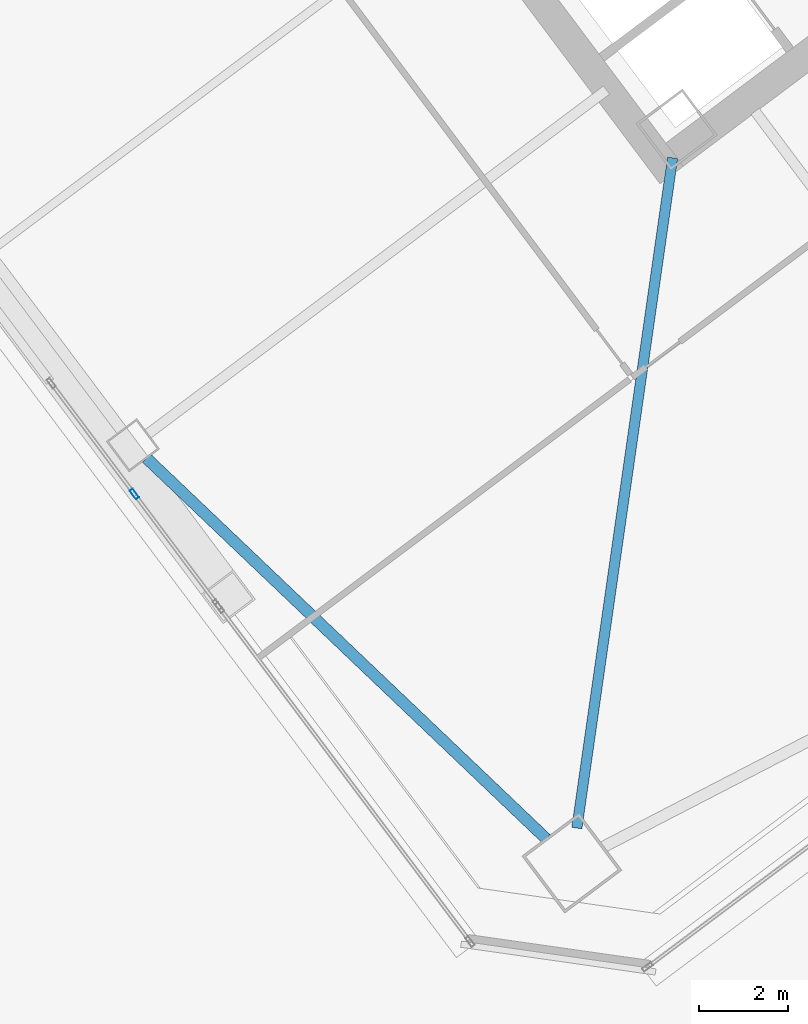
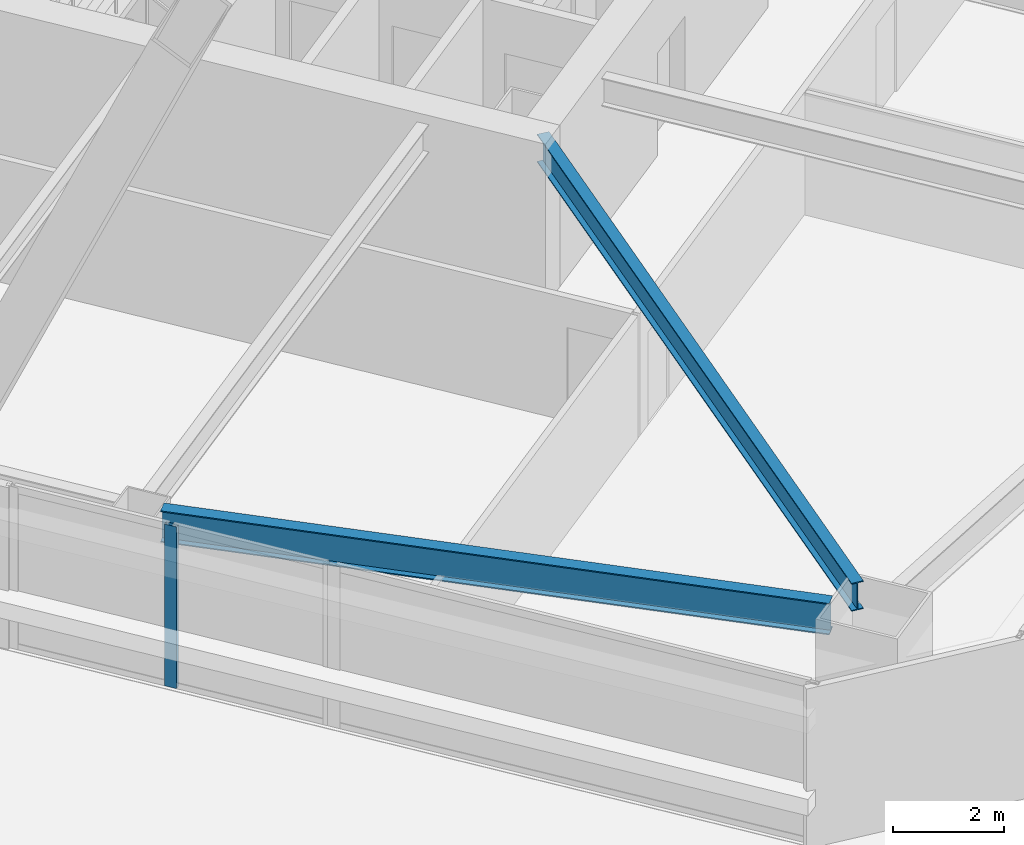
# One storey, part 34 of 83: 2 beams, 1 member, 1 element without a shape of its own.
"""IFC4 building model written with IfcOpenShell, lengths in metres."""

from ifc_helpers import new_model, si_unit, direction, frame, origin, origin_2d, place, context, subcontext, project, spatial, hollow_rectangle, i_section, extrude, material, material_profile, profile_set, type_object, element, aggregate, save


model = new_model("IFC4")

# Units and contexts
model_context = context("Model", 3, precision=1e-05, world=origin(), true_north=direction((0.0, 1.0)))
body_context = subcontext(model_context, "Body", "Model", "MODEL_VIEW")
ifc_project = project(units=[si_unit("LENGTHUNIT", "METRE"), si_unit("AREAUNIT", "SQUARE_METRE"), si_unit("VOLUMEUNIT", "CUBIC_METRE"), si_unit("PLANEANGLEUNIT", "RADIAN"), si_unit("MASSUNIT", "GRAM", prefix="KILO")], contexts=[model_context])

# Site, building, storey
site_placement = place(None, origin())
site = spatial("IfcSite", under=ifc_project, at=site_placement, CompositionType="ELEMENT")
building_placement = place(site_placement, origin())
building = spatial("IfcBuilding", under=site, at=building_placement, Name="Tashvorn Skyway Center", CompositionType="ELEMENT")
storey_placement = place(building_placement, frame((0.0, 0.0, 24.60009765625)))
storey = spatial("IfcBuildingStorey", under=building, at=storey_placement, Name="L05", CompositionType="ELEMENT", Elevation=24.60009765625)

# Beams
ifc_material_1 = material(Name="Steel ASTM A992 Grade 50", Category="steel")
ifc_material_profile_1 = material_profile(ifc_material_1, i_section(OverallWidth=0.22998046875, OverallDepth=0.616943359375, WebThickness=0.01318359375, FlangeThickness=0.022216796875, at=origin_2d()), Name="W24X94")
ifc_profile_set_1 = profile_set([ifc_material_profile_1], Name="Steel ASTM A992 Grade 50")
beam_type_1 = type_object("IfcBeamType", Name="BM-BEAM-W24X94", PredefinedType="BEAM", material=ifc_profile_set_1)
beam_1_placement = place(storey_placement, frame((110.3525390625, 6.467041015625, 3.04150390625), z_axis=(0.141414599991, 0.989950458816, 0.0), x_axis=(-0.989950458816, 0.141414599991, 0.0)))
element("IfcBeam", 1, at=beam_1_placement, inside=storey, type_object=beam_type_1, Name="Tower 2 L05 Primary Floor Girder MC-SW", PredefinedType="BEAM", context=body_context, shape_type="SweptSolid", body=[
    extrude(i_section(OverallWidth=0.22998046875, OverallDepth=0.616943359375, WebThickness=0.01318359375, FlangeThickness=0.022216796875, at=origin_2d()), origin(), (0.0, 0.0, 1.0), 15.177001953125),
])
ifc_material_profile_2 = material_profile(ifc_material_1, i_section(OverallWidth=0.256103515625, OverallDepth=0.693115234375, WebThickness=0.014404296875, FlangeThickness=0.023681640625, at=origin_2d()), Name="W27X114")
ifc_profile_set_2 = profile_set([ifc_material_profile_2], Name="Steel ASTM A992 Grade 50")
beam_type_2 = type_object("IfcBeamType", Name="BM-SPANDREL-W27X114", PredefinedType="SPANDREL", material=ifc_profile_set_2)
beam_2_placement = place(storey_placement, frame((100.7041015625, 14.76025390625, 3.00341796875), z_axis=(0.724200339835, -0.689589637236, 0.0), x_axis=(0.689589637236, 0.724200339835, 0.0)))
element("IfcBeam", 2, at=beam_2_placement, inside=storey, type_object=beam_type_2, Name="Tower 2 L05 Spandrel Beam 12", PredefinedType="SPANDREL", context=body_context, shape_type="SweptSolid", body=[
    extrude(i_section(OverallWidth=0.256103515625, OverallDepth=0.693115234375, WebThickness=0.014404296875, FlangeThickness=0.023681640625, at=origin_2d()), origin(), (0.0, 0.0, 1.0), 12.37255859375),
])

# Curtain wall, member
ifc_material_2 = material(Name="Thermally broken bronze-anodized aluminium 6063-T6", Category="aluminium")
curtain_wall_type = type_object("IfcCurtainWallType", Name="CW-CW-Z1", PredefinedType="NOTDEFINED", material=ifc_material_2)
curtain_wall_placement = place(storey_placement, origin())
curtain_wall = element("IfcCurtainWall", 3, at=curtain_wall_placement, inside=storey, type_object=curtain_wall_type, Name="Tower 2 L05 West Unitised Curtain Wall Glazing Group 2", PredefinedType="NOTDEFINED")
ifc_material_profile_3 = material_profile(ifc_material_2, hollow_rectangle(XDim=0.0849609375, YDim=0.239990234375, WallThickness=0.0048828125, at=origin_2d()), Name="ALU-MULL-85x240")
ifc_profile_set_3 = profile_set([ifc_material_profile_3], Name="Thermally broken bronze-anodized aluminium 6063-T6")
member_type = type_object("IfcMemberType", Name="CWM-CW-Z1", PredefinedType="MULLION", material=ifc_profile_set_3)
member_placement = place(storey_placement, frame((100.431884765625, 13.957275390625, 0.0), z_axis=(0.0, 0.0, 1.0), x_axis=(-0.800001906763, -0.599997457641, 0.0)))
member = element("IfcMember", 4, at=member_placement, type_object=member_type, Name="CW-Z1 mullion 2", PredefinedType="MULLION", context=body_context, shape_type="SweptSolid", body=[
    extrude(hollow_rectangle(XDim=0.0849609375, YDim=0.239990234375, WallThickness=0.0048828125, at=origin_2d()), origin(), (0.0, 0.0, 1.0), 3.5498046875),
])
aggregate(curtain_wall, [member])

save(model, "model.ifc")
